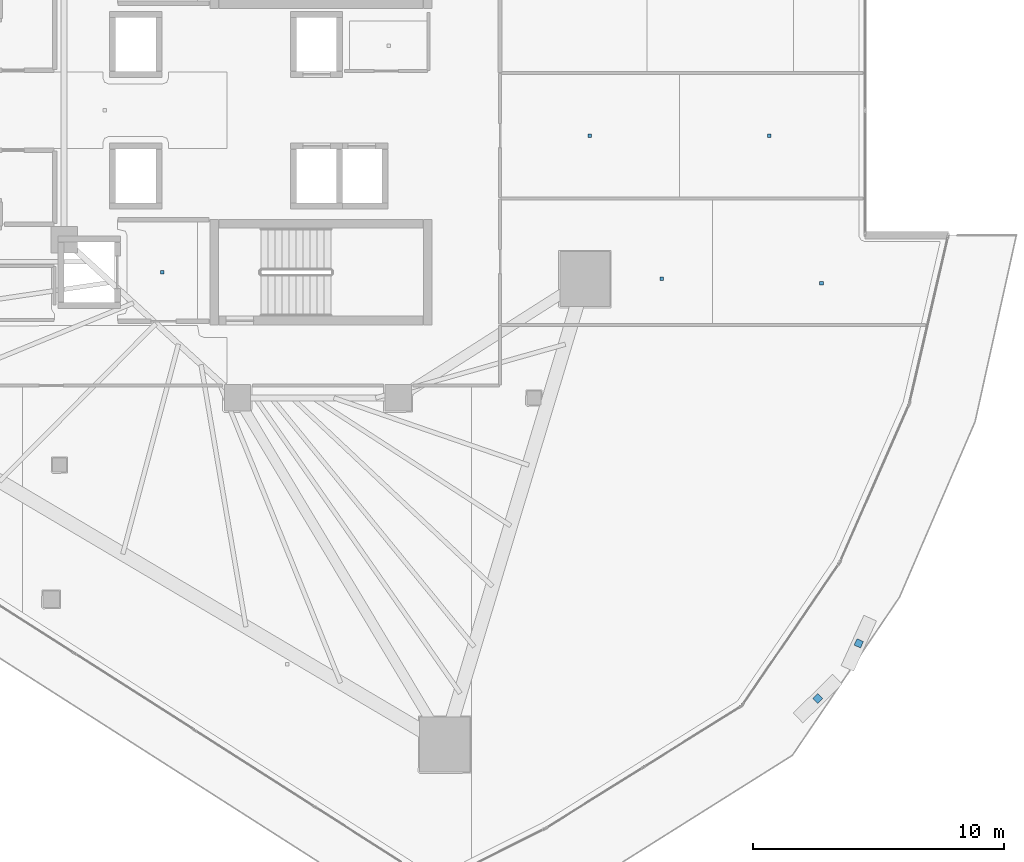
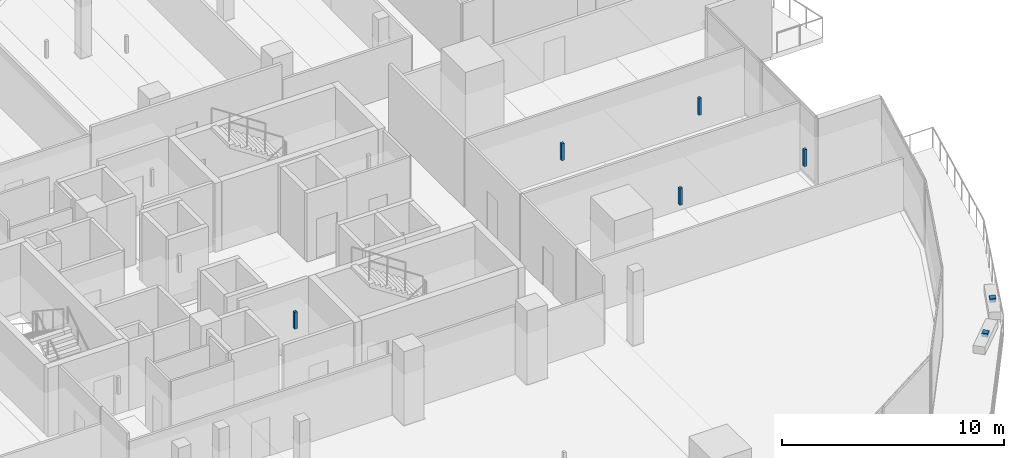
# One storey, part 31 of 42: 7 discrete accessories.
"""IFC4 building model written with IfcOpenShell, lengths in metres."""

from ifc_helpers import new_model, si_unit, direction, frame, origin, origin_2d, place, context, subcontext, project, spatial, rectangle, extrude, material, type_object, element, save


model = new_model("IFC4")

# Units and contexts
model_context = context("Model", 3, precision=1e-05, world=origin(), true_north=direction((0.0, 1.0)))
body_context = subcontext(model_context, "Body", "Model", "MODEL_VIEW")
ifc_project = project(units=[si_unit("LENGTHUNIT", "METRE"), si_unit("AREAUNIT", "SQUARE_METRE"), si_unit("VOLUMEUNIT", "CUBIC_METRE"), si_unit("PLANEANGLEUNIT", "RADIAN"), si_unit("MASSUNIT", "GRAM", prefix="KILO")], contexts=[model_context])

# Site, building, storey
site_placement = place(None, origin())
site = spatial("IfcSite", under=ifc_project, at=site_placement, CompositionType="ELEMENT")
building_placement = place(site_placement, origin())
building = spatial("IfcBuilding", under=site, at=building_placement, Name="Qorvath Tower", CompositionType="ELEMENT")
storey_placement = place(building_placement, frame((0.0, 0.0, 121.949951171875)))
storey = spatial("IfcBuildingStorey", under=building, at=storey_placement, Name="L27", CompositionType="ELEMENT", Elevation=121.949951171875)

# Discrete accessories
ifc_material = material(Name="Galvanised steel bracket", Category="steel")
discrete_accessory_type = type_object("IfcDiscreteAccessoryType", Name="DA-BRACKET", PredefinedType="BRACKET", material=ifc_material)
for number, where, z_axis, x_axis, name in (
    (1, (-0.50244140625, -23.419921875, 3.6298828125), (0.0, 0.0, 1.0), (0.709768709331, 0.704434794183, 0.0), "Louvre Wave Support Bracket L27-03"),
    (2, (1.13232421875, -21.21923828125, 3.6298828125), (0.0, 0.0, 1.0), (0.413331707281, 0.910580528979, 0.0), "Louvre Wave Support Bracket L27-04"),
):
    element("IfcDiscreteAccessory", number, at=place(storey_placement, frame(where, z_axis=z_axis, x_axis=x_axis)), inside=storey, type_object=discrete_accessory_type, Name=name, PredefinedType="NOTDEFINED", context=body_context, shape_type="SweptSolid", body=[
        extrude(rectangle(XDim=0.280029296875, YDim=0.280029296875, at=origin_2d()), origin(), (0.0, 0.0, 1.0), 0.199951171875),
    ])
for number, where, z_axis, x_axis, name in (
    (3, (-26.590087890625, -6.449951171875, 2.860107421875), (0.0, 0.0, 1.0), (1.0, 0.0, 0.0), "Acoustic Ceiling Suspension Hanger T1-L27-002"),
    (4, (-6.712646484375, -6.7001953125, 2.860107421875), (0.0, 0.0, 1.0), (1.0, 0.0, 0.0), "Acoustic Ceiling Suspension Hanger T1-L27-027"),
    (5, (-0.351318359375, -6.8798828125, 2.860107421875), (0.0, 0.0, 1.0), (1.0, 0.0, 0.0), "Acoustic Ceiling Suspension Hanger T1-L27-028"),
    (6, (-9.56982421875, -1.0126953125, 2.860107421875), (0.0, 0.0, 1.0), (1.0, 0.0, 0.0), "Acoustic Ceiling Suspension Hanger T1-L27-029"),
    (7, (-2.435302734375, -1.0126953125, 2.860107421875), (0.0, 0.0, 1.0), (1.0, 0.0, 0.0), "Acoustic Ceiling Suspension Hanger T1-L27-030"),
):
    element("IfcDiscreteAccessory", number, at=place(storey_placement, frame(where, z_axis=z_axis, x_axis=x_axis)), inside=storey, type_object=discrete_accessory_type, Name=name, PredefinedType="NOTDEFINED", context=body_context, shape_type="SweptSolid", body=[
        extrude(rectangle(XDim=0.139892578125, YDim=0.139892578125, at=origin_2d()), origin(), (0.0, 0.0, 1.0), 0.93994140625),
    ])

save(model, "model.ifc")
